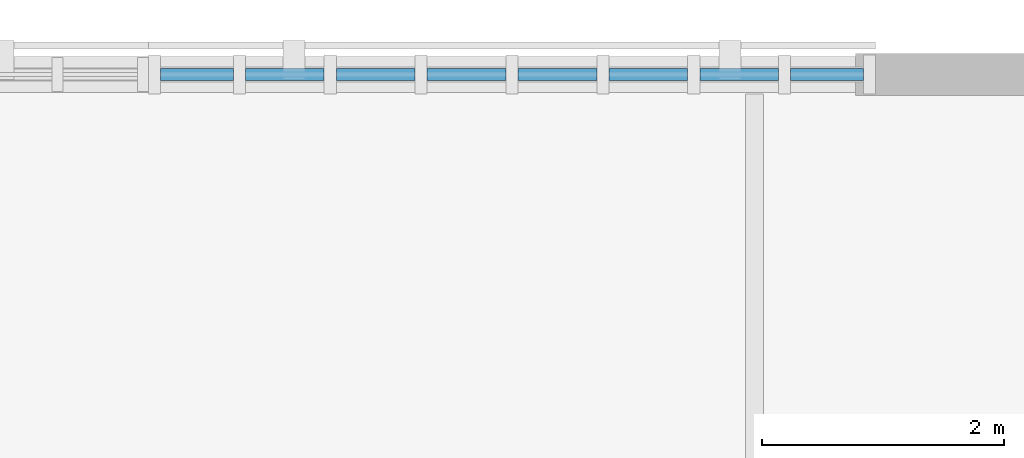
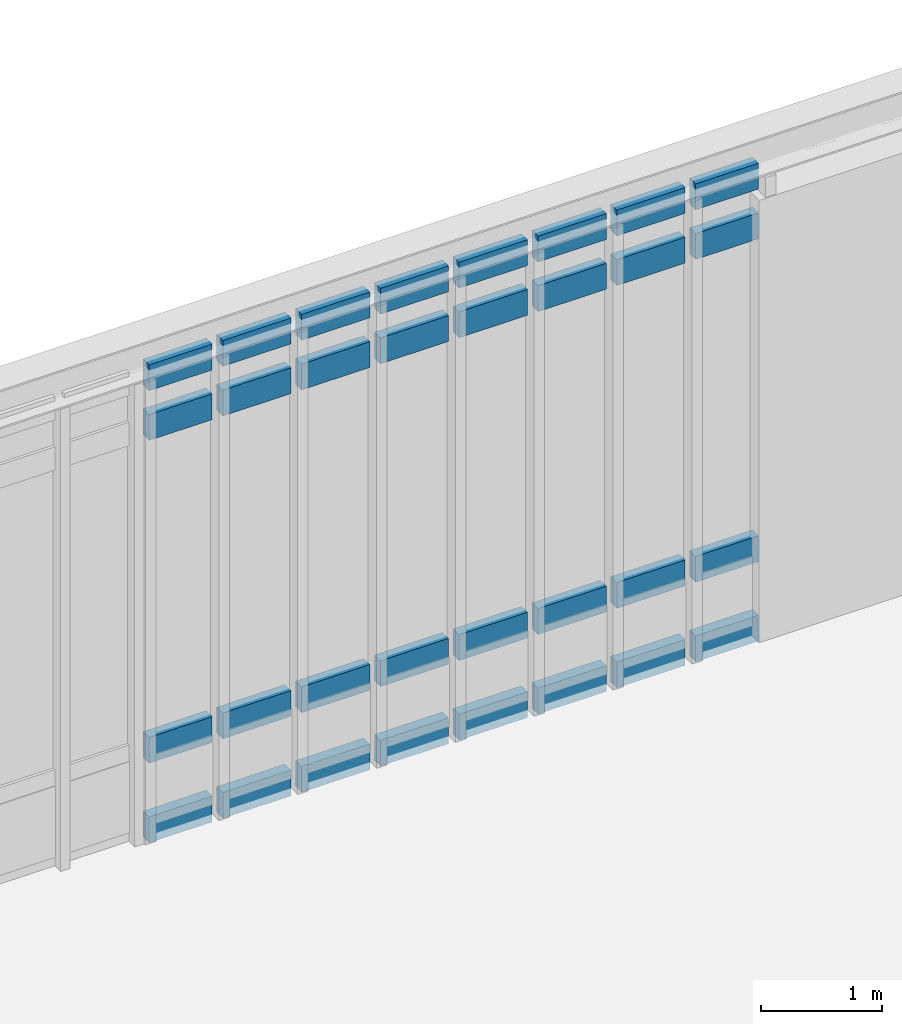
# One storey, part 62 of 135: 32 members, 1 element without a shape of its own.
"""IFC4 building model written with IfcOpenShell, lengths in metres."""

from ifc_helpers import new_model, si_unit, direction, frame, origin, origin_2d, place, context, subcontext, project, spatial, rectangle, extrude, material, material_profile, profile_set, type_object, element, aggregate, save


model = new_model("IFC4")

# Units and contexts
model_context = context("Model", 3, precision=1e-05, world=origin(), true_north=direction((0.0, 1.0)))
body_context = subcontext(model_context, "Body", "Model", "MODEL_VIEW")
ifc_project = project(units=[si_unit("LENGTHUNIT", "METRE"), si_unit("AREAUNIT", "SQUARE_METRE"), si_unit("VOLUMEUNIT", "CUBIC_METRE"), si_unit("PLANEANGLEUNIT", "RADIAN"), si_unit("MASSUNIT", "GRAM", prefix="KILO")], contexts=[model_context])

# Site, building, storey
site_placement = place(None, origin())
site = spatial("IfcSite", under=ifc_project, at=site_placement, CompositionType="ELEMENT")
building_placement = place(site_placement, origin())
building = spatial("IfcBuilding", under=site, at=building_placement, Name="Larkvane Passage Sports Hall", CompositionType="ELEMENT")
storey_placement = place(building_placement, frame((0.0, 0.0, 16.800048828125)))
storey = spatial("IfcBuildingStorey", under=building, at=storey_placement, Name="L03", CompositionType="ELEMENT", Elevation=16.800048828125)

# Curtain wall, members
ifc_material_1 = material(Name="Thermally broken aluminium and low-E glazing", Category="aluminium")
curtain_wall_type = type_object("IfcCurtainWallType", Name="CW-CLINIC", PredefinedType="USERDEFINED", material=ifc_material_1)
curtain_wall_placement = place(storey_placement, origin())
curtain_wall = element("IfcCurtainWall", 1, at=curtain_wall_placement, inside=storey, type_object=curtain_wall_type, Name="Curtain wall CW5-L03-139", ObjectType="UNITISED CURTAIN WALL", PredefinedType="USERDEFINED")
ifc_material_2 = material(Name="Anodised aluminium 6063-T6", Category="aluminium")
ifc_material_profile = material_profile(ifc_material_2, rectangle(XDim=0.10009765625, YDim=0.260009765625, at=origin_2d()), Name="ALU-TRN-100x260")
ifc_profile_set = profile_set([ifc_material_profile], Name="Anodised aluminium 6063-T6")
member_type = type_object("IfcMemberType", Name="CW-TRN-100x260", PredefinedType="USERDEFINED", material=ifc_profile_set)
member_1_placement = place(storey_placement, frame((64.89990234375, 114.39990234375, 0.050048828125), z_axis=(1.0, 0.0, 0.0), x_axis=(0.0, 1.0, 0.0)))
member_1 = element("IfcMember", 2, at=member_1_placement, type_object=member_type, Name="CW-05 transom 1.1", ObjectType="TRANSOM", PredefinedType="USERDEFINED", context=body_context, shape_type="SweptSolid", body=[
    extrude(rectangle(XDim=0.10009765625, YDim=0.260009765625, at=origin_2d()), origin(), (0.0, 0.0, 1.0), 0.60009765625),
])
member_2_placement = place(storey_placement, frame((64.89990234375, 114.39990234375, 0.849853515625), z_axis=(1.0, 0.0, 0.0), x_axis=(0.0, 1.0, 0.0)))
member_2 = element("IfcMember", 3, at=member_2_placement, type_object=member_type, Name="CW-05 transom 1.2", ObjectType="TRANSOM", PredefinedType="USERDEFINED", context=body_context, shape_type="SweptSolid", body=[
    extrude(rectangle(XDim=0.10009765625, YDim=0.260009765625, at=origin_2d()), origin(), (0.0, 0.0, 1.0), 0.60009765625),
])
member_3_placement = place(storey_placement, frame((64.89990234375, 114.39990234375, 4.097900390625), z_axis=(1.0, 0.0, 0.0), x_axis=(0.0, 1.0, 0.0)))
member_3 = element("IfcMember", 4, at=member_3_placement, type_object=member_type, Name="CW-05 transom 1.3", ObjectType="TRANSOM", PredefinedType="USERDEFINED", context=body_context, shape_type="SweptSolid", body=[
    extrude(rectangle(XDim=0.10009765625, YDim=0.260009765625, at=origin_2d()), origin(), (0.0, 0.0, 1.0), 0.60009765625),
])
member_4_placement = place(storey_placement, frame((64.89990234375, 114.39990234375, 4.597900390625), z_axis=(1.0, 0.0, 0.0), x_axis=(0.0, 1.0, 0.0)))
member_4 = element("IfcMember", 5, at=member_4_placement, type_object=member_type, Name="CW-05 transom 1.4", ObjectType="TRANSOM", PredefinedType="USERDEFINED", context=body_context, shape_type="SweptSolid", body=[
    extrude(rectangle(XDim=0.10009765625, YDim=0.260009765625, at=origin_2d()), origin(), (0.0, 0.0, 1.0), 0.60009765625),
])
member_5_placement = place(storey_placement, frame((65.60009765625, 114.39990234375, 0.050048828125), z_axis=(1.0, 0.0, 0.0), x_axis=(0.0, 1.0, 0.0)))
member_5 = element("IfcMember", 6, at=member_5_placement, type_object=member_type, Name="CW-05 transom 2.1", ObjectType="TRANSOM", PredefinedType="USERDEFINED", context=body_context, shape_type="SweptSolid", body=[
    extrude(rectangle(XDim=0.10009765625, YDim=0.260009765625, at=origin_2d()), origin(), (0.0, 0.0, 1.0), 0.64990234375),
])
member_6_placement = place(storey_placement, frame((65.60009765625, 114.39990234375, 0.849853515625), z_axis=(1.0, 0.0, 0.0), x_axis=(0.0, 1.0, 0.0)))
member_6 = element("IfcMember", 7, at=member_6_placement, type_object=member_type, Name="CW-05 transom 2.2", ObjectType="TRANSOM", PredefinedType="USERDEFINED", context=body_context, shape_type="SweptSolid", body=[
    extrude(rectangle(XDim=0.10009765625, YDim=0.260009765625, at=origin_2d()), origin(), (0.0, 0.0, 1.0), 0.64990234375),
])
member_7_placement = place(storey_placement, frame((65.60009765625, 114.39990234375, 4.097900390625), z_axis=(1.0, 0.0, 0.0), x_axis=(0.0, 1.0, 0.0)))
member_7 = element("IfcMember", 8, at=member_7_placement, type_object=member_type, Name="CW-05 transom 2.3", ObjectType="TRANSOM", PredefinedType="USERDEFINED", context=body_context, shape_type="SweptSolid", body=[
    extrude(rectangle(XDim=0.10009765625, YDim=0.260009765625, at=origin_2d()), origin(), (0.0, 0.0, 1.0), 0.64990234375),
])
member_8_placement = place(storey_placement, frame((65.60009765625, 114.39990234375, 4.597900390625), z_axis=(1.0, 0.0, 0.0), x_axis=(0.0, 1.0, 0.0)))
member_8 = element("IfcMember", 9, at=member_8_placement, type_object=member_type, Name="CW-05 transom 2.4", ObjectType="TRANSOM", PredefinedType="USERDEFINED", context=body_context, shape_type="SweptSolid", body=[
    extrude(rectangle(XDim=0.10009765625, YDim=0.260009765625, at=origin_2d()), origin(), (0.0, 0.0, 1.0), 0.64990234375),
])
member_9_placement = place(storey_placement, frame((66.35009765625, 114.39990234375, 0.050048828125), z_axis=(1.0, 0.0, 0.0), x_axis=(0.0, 1.0, 0.0)))
member_9 = element("IfcMember", 10, at=member_9_placement, type_object=member_type, Name="CW-05 transom 3.1", ObjectType="TRANSOM", PredefinedType="USERDEFINED", context=body_context, shape_type="SweptSolid", body=[
    extrude(rectangle(XDim=0.10009765625, YDim=0.260009765625, at=origin_2d()), origin(), (0.0, 0.0, 1.0), 0.64990234375),
])
member_10_placement = place(storey_placement, frame((66.35009765625, 114.39990234375, 0.849853515625), z_axis=(1.0, 0.0, 0.0), x_axis=(0.0, 1.0, 0.0)))
member_10 = element("IfcMember", 11, at=member_10_placement, type_object=member_type, Name="CW-05 transom 3.2", ObjectType="TRANSOM", PredefinedType="USERDEFINED", context=body_context, shape_type="SweptSolid", body=[
    extrude(rectangle(XDim=0.10009765625, YDim=0.260009765625, at=origin_2d()), origin(), (0.0, 0.0, 1.0), 0.64990234375),
])
member_11_placement = place(storey_placement, frame((66.35009765625, 114.39990234375, 4.097900390625), z_axis=(1.0, 0.0, 0.0), x_axis=(0.0, 1.0, 0.0)))
member_11 = element("IfcMember", 12, at=member_11_placement, type_object=member_type, Name="CW-05 transom 3.3", ObjectType="TRANSOM", PredefinedType="USERDEFINED", context=body_context, shape_type="SweptSolid", body=[
    extrude(rectangle(XDim=0.10009765625, YDim=0.260009765625, at=origin_2d()), origin(), (0.0, 0.0, 1.0), 0.64990234375),
])
member_12_placement = place(storey_placement, frame((66.35009765625, 114.39990234375, 4.597900390625), z_axis=(1.0, 0.0, 0.0), x_axis=(0.0, 1.0, 0.0)))
member_12 = element("IfcMember", 13, at=member_12_placement, type_object=member_type, Name="CW-05 transom 3.4", ObjectType="TRANSOM", PredefinedType="USERDEFINED", context=body_context, shape_type="SweptSolid", body=[
    extrude(rectangle(XDim=0.10009765625, YDim=0.260009765625, at=origin_2d()), origin(), (0.0, 0.0, 1.0), 0.64990234375),
])
member_13_placement = place(storey_placement, frame((67.10009765625, 114.39990234375, 0.050048828125), z_axis=(1.0, 0.0, 0.0), x_axis=(0.0, 1.0, 0.0)))
member_13 = element("IfcMember", 14, at=member_13_placement, type_object=member_type, Name="CW-05 transom 4.1", ObjectType="TRANSOM", PredefinedType="USERDEFINED", context=body_context, shape_type="SweptSolid", body=[
    extrude(rectangle(XDim=0.10009765625, YDim=0.260009765625, at=origin_2d()), origin(), (0.0, 0.0, 1.0), 0.64990234375),
])
member_14_placement = place(storey_placement, frame((67.10009765625, 114.39990234375, 0.849853515625), z_axis=(1.0, 0.0, 0.0), x_axis=(0.0, 1.0, 0.0)))
member_14 = element("IfcMember", 15, at=member_14_placement, type_object=member_type, Name="CW-05 transom 4.2", ObjectType="TRANSOM", PredefinedType="USERDEFINED", context=body_context, shape_type="SweptSolid", body=[
    extrude(rectangle(XDim=0.10009765625, YDim=0.260009765625, at=origin_2d()), origin(), (0.0, 0.0, 1.0), 0.64990234375),
])
member_15_placement = place(storey_placement, frame((67.10009765625, 114.39990234375, 4.097900390625), z_axis=(1.0, 0.0, 0.0), x_axis=(0.0, 1.0, 0.0)))
member_15 = element("IfcMember", 16, at=member_15_placement, type_object=member_type, Name="CW-05 transom 4.3", ObjectType="TRANSOM", PredefinedType="USERDEFINED", context=body_context, shape_type="SweptSolid", body=[
    extrude(rectangle(XDim=0.10009765625, YDim=0.260009765625, at=origin_2d()), origin(), (0.0, 0.0, 1.0), 0.64990234375),
])
member_16_placement = place(storey_placement, frame((67.10009765625, 114.39990234375, 4.597900390625), z_axis=(1.0, 0.0, 0.0), x_axis=(0.0, 1.0, 0.0)))
member_16 = element("IfcMember", 17, at=member_16_placement, type_object=member_type, Name="CW-05 transom 4.4", ObjectType="TRANSOM", PredefinedType="USERDEFINED", context=body_context, shape_type="SweptSolid", body=[
    extrude(rectangle(XDim=0.10009765625, YDim=0.260009765625, at=origin_2d()), origin(), (0.0, 0.0, 1.0), 0.64990234375),
])
member_17_placement = place(storey_placement, frame((67.85009765625, 114.39990234375, 0.050048828125), z_axis=(1.0, 0.0, 0.0), x_axis=(0.0, 1.0, 0.0)))
member_17 = element("IfcMember", 18, at=member_17_placement, type_object=member_type, Name="CW-05 transom 5.1", ObjectType="TRANSOM", PredefinedType="USERDEFINED", context=body_context, shape_type="SweptSolid", body=[
    extrude(rectangle(XDim=0.10009765625, YDim=0.260009765625, at=origin_2d()), origin(), (0.0, 0.0, 1.0), 0.64990234375),
])
member_18_placement = place(storey_placement, frame((67.85009765625, 114.39990234375, 0.849853515625), z_axis=(1.0, 0.0, 0.0), x_axis=(0.0, 1.0, 0.0)))
member_18 = element("IfcMember", 19, at=member_18_placement, type_object=member_type, Name="CW-05 transom 5.2", ObjectType="TRANSOM", PredefinedType="USERDEFINED", context=body_context, shape_type="SweptSolid", body=[
    extrude(rectangle(XDim=0.10009765625, YDim=0.260009765625, at=origin_2d()), origin(), (0.0, 0.0, 1.0), 0.64990234375),
])
member_19_placement = place(storey_placement, frame((67.85009765625, 114.39990234375, 4.097900390625), z_axis=(1.0, 0.0, 0.0), x_axis=(0.0, 1.0, 0.0)))
member_19 = element("IfcMember", 20, at=member_19_placement, type_object=member_type, Name="CW-05 transom 5.3", ObjectType="TRANSOM", PredefinedType="USERDEFINED", context=body_context, shape_type="SweptSolid", body=[
    extrude(rectangle(XDim=0.10009765625, YDim=0.260009765625, at=origin_2d()), origin(), (0.0, 0.0, 1.0), 0.64990234375),
])
member_20_placement = place(storey_placement, frame((67.85009765625, 114.39990234375, 4.597900390625), z_axis=(1.0, 0.0, 0.0), x_axis=(0.0, 1.0, 0.0)))
member_20 = element("IfcMember", 21, at=member_20_placement, type_object=member_type, Name="CW-05 transom 5.4", ObjectType="TRANSOM", PredefinedType="USERDEFINED", context=body_context, shape_type="SweptSolid", body=[
    extrude(rectangle(XDim=0.10009765625, YDim=0.260009765625, at=origin_2d()), origin(), (0.0, 0.0, 1.0), 0.64990234375),
])
member_21_placement = place(storey_placement, frame((68.60009765625, 114.39990234375, 0.050048828125), z_axis=(1.0, 0.0, 0.0), x_axis=(0.0, 1.0, 0.0)))
member_21 = element("IfcMember", 22, at=member_21_placement, type_object=member_type, Name="CW-05 transom 6.1", ObjectType="TRANSOM", PredefinedType="USERDEFINED", context=body_context, shape_type="SweptSolid", body=[
    extrude(rectangle(XDim=0.10009765625, YDim=0.260009765625, at=origin_2d()), origin(), (0.0, 0.0, 1.0), 0.64990234375),
])
member_22_placement = place(storey_placement, frame((68.60009765625, 114.39990234375, 0.849853515625), z_axis=(1.0, 0.0, 0.0), x_axis=(0.0, 1.0, 0.0)))
member_22 = element("IfcMember", 23, at=member_22_placement, type_object=member_type, Name="CW-05 transom 6.2", ObjectType="TRANSOM", PredefinedType="USERDEFINED", context=body_context, shape_type="SweptSolid", body=[
    extrude(rectangle(XDim=0.10009765625, YDim=0.260009765625, at=origin_2d()), origin(), (0.0, 0.0, 1.0), 0.64990234375),
])
member_23_placement = place(storey_placement, frame((68.60009765625, 114.39990234375, 4.097900390625), z_axis=(1.0, 0.0, 0.0), x_axis=(0.0, 1.0, 0.0)))
member_23 = element("IfcMember", 24, at=member_23_placement, type_object=member_type, Name="CW-05 transom 6.3", ObjectType="TRANSOM", PredefinedType="USERDEFINED", context=body_context, shape_type="SweptSolid", body=[
    extrude(rectangle(XDim=0.10009765625, YDim=0.260009765625, at=origin_2d()), origin(), (0.0, 0.0, 1.0), 0.64990234375),
])
member_24_placement = place(storey_placement, frame((68.60009765625, 114.39990234375, 4.597900390625), z_axis=(1.0, 0.0, 0.0), x_axis=(0.0, 1.0, 0.0)))
member_24 = element("IfcMember", 25, at=member_24_placement, type_object=member_type, Name="CW-05 transom 6.4", ObjectType="TRANSOM", PredefinedType="USERDEFINED", context=body_context, shape_type="SweptSolid", body=[
    extrude(rectangle(XDim=0.10009765625, YDim=0.260009765625, at=origin_2d()), origin(), (0.0, 0.0, 1.0), 0.64990234375),
])
member_25_placement = place(storey_placement, frame((69.35009765625, 114.39990234375, 0.050048828125), z_axis=(1.0, 0.0, 0.0), x_axis=(0.0, 1.0, 0.0)))
member_25 = element("IfcMember", 26, at=member_25_placement, type_object=member_type, Name="CW-05 transom 7.1", ObjectType="TRANSOM", PredefinedType="USERDEFINED", context=body_context, shape_type="SweptSolid", body=[
    extrude(rectangle(XDim=0.10009765625, YDim=0.260009765625, at=origin_2d()), origin(), (0.0, 0.0, 1.0), 0.64990234375),
])
member_26_placement = place(storey_placement, frame((69.35009765625, 114.39990234375, 0.849853515625), z_axis=(1.0, 0.0, 0.0), x_axis=(0.0, 1.0, 0.0)))
member_26 = element("IfcMember", 27, at=member_26_placement, type_object=member_type, Name="CW-05 transom 7.2", ObjectType="TRANSOM", PredefinedType="USERDEFINED", context=body_context, shape_type="SweptSolid", body=[
    extrude(rectangle(XDim=0.10009765625, YDim=0.260009765625, at=origin_2d()), origin(), (0.0, 0.0, 1.0), 0.64990234375),
])
member_27_placement = place(storey_placement, frame((69.35009765625, 114.39990234375, 4.097900390625), z_axis=(1.0, 0.0, 0.0), x_axis=(0.0, 1.0, 0.0)))
member_27 = element("IfcMember", 28, at=member_27_placement, type_object=member_type, Name="CW-05 transom 7.3", ObjectType="TRANSOM", PredefinedType="USERDEFINED", context=body_context, shape_type="SweptSolid", body=[
    extrude(rectangle(XDim=0.10009765625, YDim=0.260009765625, at=origin_2d()), origin(), (0.0, 0.0, 1.0), 0.64990234375),
])
member_28_placement = place(storey_placement, frame((69.35009765625, 114.39990234375, 4.597900390625), z_axis=(1.0, 0.0, 0.0), x_axis=(0.0, 1.0, 0.0)))
member_28 = element("IfcMember", 29, at=member_28_placement, type_object=member_type, Name="CW-05 transom 7.4", ObjectType="TRANSOM", PredefinedType="USERDEFINED", context=body_context, shape_type="SweptSolid", body=[
    extrude(rectangle(XDim=0.10009765625, YDim=0.260009765625, at=origin_2d()), origin(), (0.0, 0.0, 1.0), 0.64990234375),
])
member_29_placement = place(storey_placement, frame((70.10009765625, 114.39990234375, 0.050048828125), z_axis=(1.0, 0.0, 0.0), x_axis=(0.0, 1.0, 0.0)))
member_29 = element("IfcMember", 30, at=member_29_placement, type_object=member_type, Name="CW-05 transom 8.1", ObjectType="TRANSOM", PredefinedType="USERDEFINED", context=body_context, shape_type="SweptSolid", body=[
    extrude(rectangle(XDim=0.10009765625, YDim=0.260009765625, at=origin_2d()), origin(), (0.0, 0.0, 1.0), 0.599853515625),
])
member_30_placement = place(storey_placement, frame((70.10009765625, 114.39990234375, 0.849853515625), z_axis=(1.0, 0.0, 0.0), x_axis=(0.0, 1.0, 0.0)))
member_30 = element("IfcMember", 31, at=member_30_placement, type_object=member_type, Name="CW-05 transom 8.2", ObjectType="TRANSOM", PredefinedType="USERDEFINED", context=body_context, shape_type="SweptSolid", body=[
    extrude(rectangle(XDim=0.10009765625, YDim=0.260009765625, at=origin_2d()), origin(), (0.0, 0.0, 1.0), 0.599853515625),
])
member_31_placement = place(storey_placement, frame((70.10009765625, 114.39990234375, 4.097900390625), z_axis=(1.0, 0.0, 0.0), x_axis=(0.0, 1.0, 0.0)))
member_31 = element("IfcMember", 32, at=member_31_placement, type_object=member_type, Name="CW-05 transom 8.3", ObjectType="TRANSOM", PredefinedType="USERDEFINED", context=body_context, shape_type="SweptSolid", body=[
    extrude(rectangle(XDim=0.10009765625, YDim=0.260009765625, at=origin_2d()), origin(), (0.0, 0.0, 1.0), 0.599853515625),
])
member_32_placement = place(storey_placement, frame((70.10009765625, 114.39990234375, 4.597900390625), z_axis=(1.0, 0.0, 0.0), x_axis=(0.0, 1.0, 0.0)))
member_32 = element("IfcMember", 33, at=member_32_placement, type_object=member_type, Name="CW-05 transom 8.4", ObjectType="TRANSOM", PredefinedType="USERDEFINED", context=body_context, shape_type="SweptSolid", body=[
    extrude(rectangle(XDim=0.10009765625, YDim=0.260009765625, at=origin_2d()), origin(), (0.0, 0.0, 1.0), 0.599853515625),
])
aggregate(curtain_wall, [member_1, member_2, member_3, member_4, member_5, member_6, member_7, member_8, member_9, member_10, member_11, member_12, member_13, member_14, member_15, member_16, member_17, member_18, member_19, member_20, member_21, member_22, member_23, member_24, member_25, member_26, member_27, member_28, member_29, member_30, member_31, member_32])

save(model, "model.ifc")
